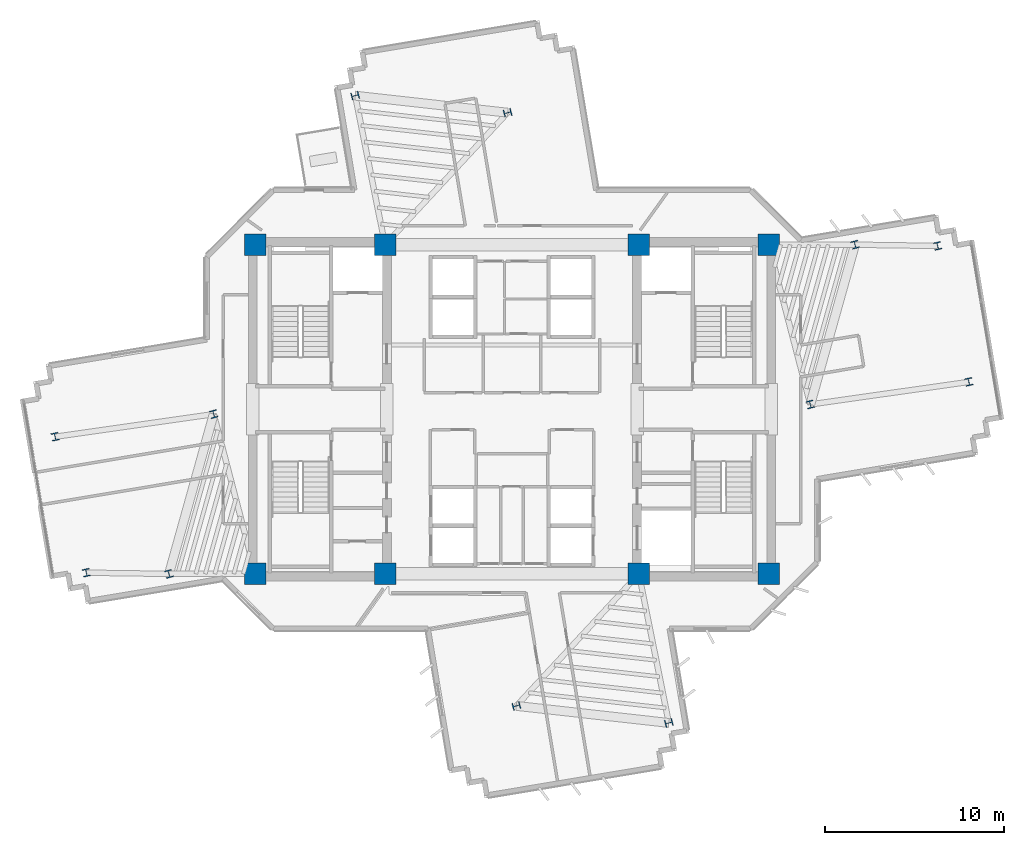
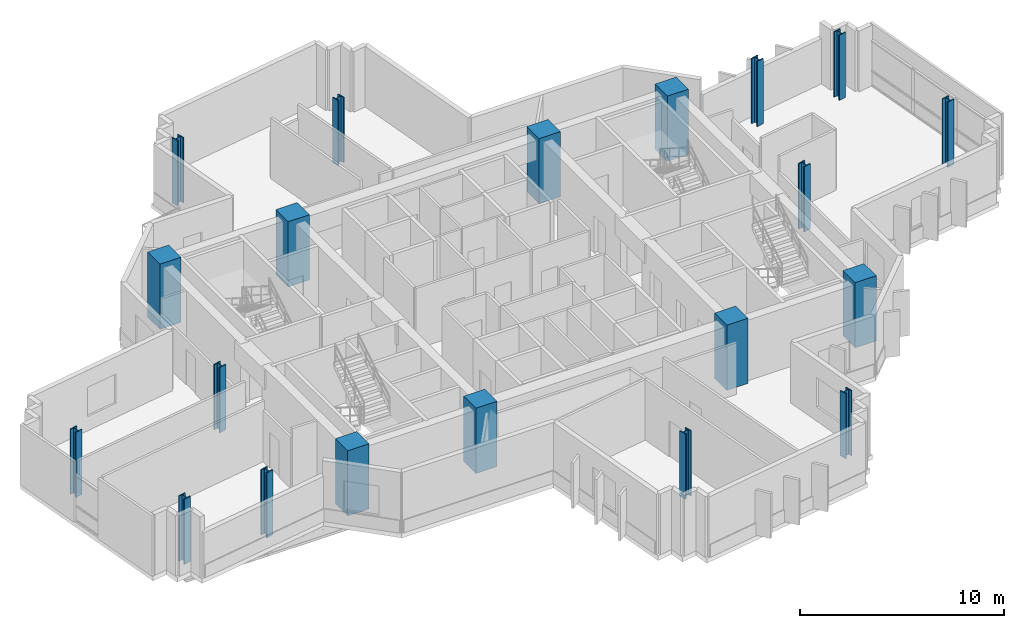
# One storey, part 1 of 15: 20 columns.
"""IFC4 building model written with IfcOpenShell, lengths in metres."""

from ifc_helpers import new_model, si_unit, direction, frame, origin, origin_2d, place, context, subcontext, project, spatial, rectangle, i_section, extrude, source, transform, mapped, material, material_profile, profile_set, type_object, element, save


model = new_model("IFC4")

# Units and contexts
model_context = context("Model", 3, precision=1e-05, world=origin(), true_north=direction((0.0, 1.0)))
body_context = subcontext(model_context, "Body", "Model", "MODEL_VIEW")
ifc_project = project(units=[si_unit("LENGTHUNIT", "METRE"), si_unit("AREAUNIT", "SQUARE_METRE"), si_unit("VOLUMEUNIT", "CUBIC_METRE"), si_unit("PLANEANGLEUNIT", "RADIAN"), si_unit("MASSUNIT", "GRAM", prefix="KILO")], contexts=[model_context])

# Site, building, storey
site_placement = place(None, origin())
site = spatial("IfcSite", under=ifc_project, at=site_placement, CompositionType="ELEMENT")
building_placement = place(site_placement, origin())
building = spatial("IfcBuilding", under=site, at=building_placement, Name="Zahravan Cultural Tower", CompositionType="ELEMENT")
storey_placement = place(building_placement, frame((0.0, 0.0, 139.5)))
storey = spatial("IfcBuildingStorey", under=building, at=storey_placement, Name="L31", CompositionType="ELEMENT", Elevation=139.5)

# Columns
ifc_material_1 = material(Name="Concrete C50/60", Category="concrete")
ifc_material_profile_1 = material_profile(ifc_material_1, rectangle(XDim=1.199951171875, YDim=1.199951171875, at=origin_2d()), Name="RC1200X1200")
ifc_profile_set_1 = profile_set([ifc_material_profile_1], Name="Concrete C50/60")
column_type_1 = type_object("IfcColumnType", Name="COL-RC1200", PredefinedType="COLUMN", material=ifc_profile_set_1)
shared_shape_1 = source(origin(), body_context, "Body", "SweptSolid", [
    extrude(rectangle(XDim=1.199951171875, YDim=1.199951171875, at=origin_2d()), origin(), (0.0, 0.0, 1.0), 3.89990234375),
])
for number, where, z_axis, x_axis, name in (
    (1, (21.64990234375, 17.800048828125, 0.0), (0.0, 0.0, 1.0), (1.0, 0.0, 0.0), "L31 Column CC-W1"),
    (2, (28.89990234375, 17.800048828125, 0.0), (0.0, 0.0, 1.0), (1.0, 0.0, 0.0), "L31 Column CC-W2"),
    (3, (21.64990234375, 36.199951171875, 0.0), (0.0, 0.0, 1.0), (1.0, 0.0, 0.0), "L31 Column CC-W3"),
    (4, (28.89990234375, 36.199951171875, 0.0), (0.0, 0.0, 1.0), (1.0, 0.0, 0.0), "L31 Column CC-W4"),
    (5, (43.10009765625, 17.800048828125, 0.0), (0.0, 0.0, 1.0), (1.0, 0.0, 0.0), "L31 Column CC-E1"),
    (6, (50.35009765625, 17.800048828125, 0.0), (0.0, 0.0, 1.0), (1.0, 0.0, 0.0), "L31 Column CC-E2"),
    (7, (43.10009765625, 36.199951171875, 0.0), (0.0, 0.0, 1.0), (1.0, 0.0, 0.0), "L31 Column CC-E3"),
    (8, (50.35009765625, 36.199951171875, 0.0), (0.0, 0.0, 1.0), (1.0, 0.0, 0.0), "L31 Column CC-E4"),
):
    element("IfcColumn", number, at=place(storey_placement, frame(where, z_axis=z_axis, x_axis=x_axis)), inside=storey, type_object=column_type_1, Name=name, PredefinedType="COLUMN", context=body_context, shape_type="MappedRepresentation", body=[
        mapped(shared_shape_1, transform((0.0, 0.0, 0.0), x_axis=(1.0, 0.0, 0.0), y_axis=(0.0, 1.0, 0.0), z_axis=(0.0, 0.0, 1.0), scale=1.0)),
    ])
ifc_material_2 = material(Name="Steel ASTM A992 Grade 50", Category="steel")
ifc_material_profile_2 = material_profile(ifc_material_2, i_section(OverallWidth=0.412109375, OverallDepth=0.43505859375, WebThickness=0.035888671875, FlangeThickness=0.057373046875, FilletRadius=0.01806640625, at=origin_2d()), Name="W14X311")
ifc_profile_set_2 = profile_set([ifc_material_profile_2], Name="Steel ASTM A992 Grade 50")
column_type_2 = type_object("IfcColumnType", Name="COL-W14X311", PredefinedType="COLUMN", material=ifc_profile_set_2)
shared_shape_2 = source(origin(), body_context, "Body", "SweptSolid", [
    extrude(i_section(OverallWidth=0.412109375, OverallDepth=0.43505859375, WebThickness=0.035888671875, FlangeThickness=0.057373046875, FilletRadius=0.01806640625, at=origin_2d()), origin(), (0.0, 0.0, 1.0), 3.89990234375),
])
for number, where, z_axis, x_axis, name in (
    (9, (52.684326171875, 27.27099609375, 0.0), (0.0, 0.0, 1.0), (0.966823388604, 0.255445757936, 0.0), "L31 Column Z2C-E1"),
    (10, (55.184814453125, 36.2060546875, 0.0), (0.0, 0.0, 1.0), (0.966823388604, 0.255445757936, 0.0), "L31 Column Z2C-E2"),
    (11, (35.754638671875, 43.587646484375, 0.0), (0.0, 0.0, 1.0), (-0.255445757936, 0.966823388604, 0.0), "L31 Column Z2C-N1"),
    (12, (27.22802734375, 44.541259765625, 0.0), (0.0, 0.0, 1.0), (-0.255445757936, 0.966823388604, 0.0), "L31 Column Z2C-N2"),
    (13, (19.315673828125, 26.72900390625, 0.0), (0.0, 0.0, 1.0), (0.966823388604, 0.255445757936, 0.0), "L31 Column Z2C-W1"),
    (14, (16.815185546875, 17.7939453125, 0.0), (0.0, 0.0, 1.0), (0.966823388604, 0.255445757936, 0.0), "L31 Column Z2C-W2"),
    (15, (36.245361328125, 10.412353515625, 0.0), (0.0, 0.0, 1.0), (-0.255445757936, 0.966823388604, 0.0), "L31 Column Z2C-S1"),
    (16, (44.77197265625, 9.458740234375, 0.0), (0.0, 0.0, 1.0), (-0.255445757936, 0.966823388604, 0.0), "L31 Column Z2C-S2"),
    (17, (61.552734375, 28.53466796875, 0.0), (0.0, 0.0, 1.0), (0.977415894286, 0.211324796455, 0.0), "L31 Column Z2T-E1"),
    (18, (59.806640625, 36.13720703125, 0.0), (0.0, 0.0, 1.0), (0.977415894286, 0.211324796455, 0.0), "L31 Column Z2T-E2"),
    (19, (10.447265625, 25.46533203125, 0.0), (0.0, 0.0, 1.0), (0.977415894286, 0.211324796455, 0.0), "L31 Column Z2T-W1"),
    (20, (12.193359375, 17.86279296875, 0.0), (0.0, 0.0, 1.0), (0.977415894286, 0.211324796455, 0.0), "L31 Column Z2T-W2"),
):
    element("IfcColumn", number, at=place(storey_placement, frame(where, z_axis=z_axis, x_axis=x_axis)), inside=storey, type_object=column_type_2, Name=name, PredefinedType="COLUMN", context=body_context, shape_type="MappedRepresentation", body=[
        mapped(shared_shape_2, transform((0.0, 0.0, 0.0), x_axis=(1.0, 0.0, 0.0), y_axis=(0.0, 1.0, 0.0), z_axis=(0.0, 0.0, 1.0), scale=1.0)),
    ])

save(model, "model.ifc")
